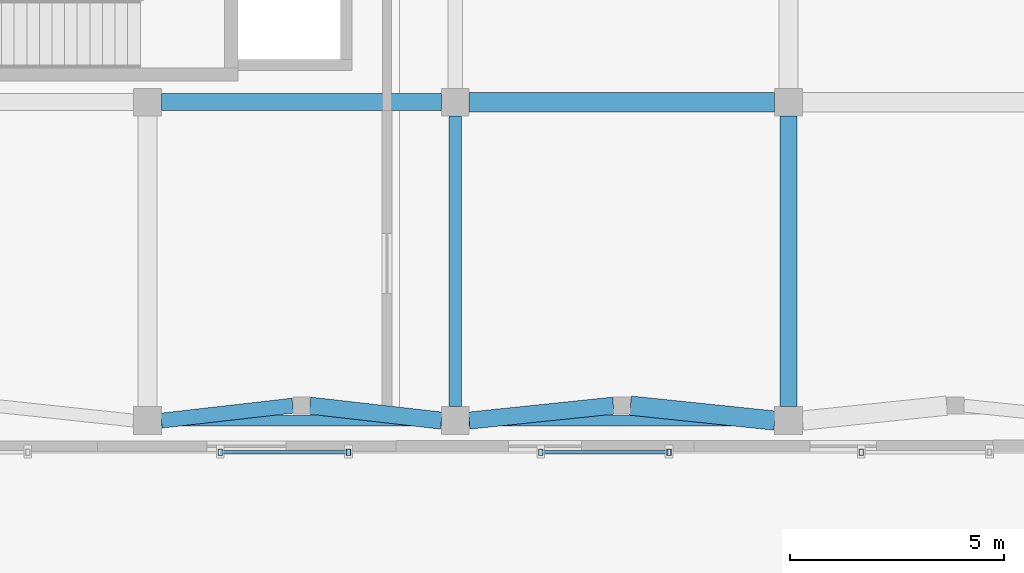
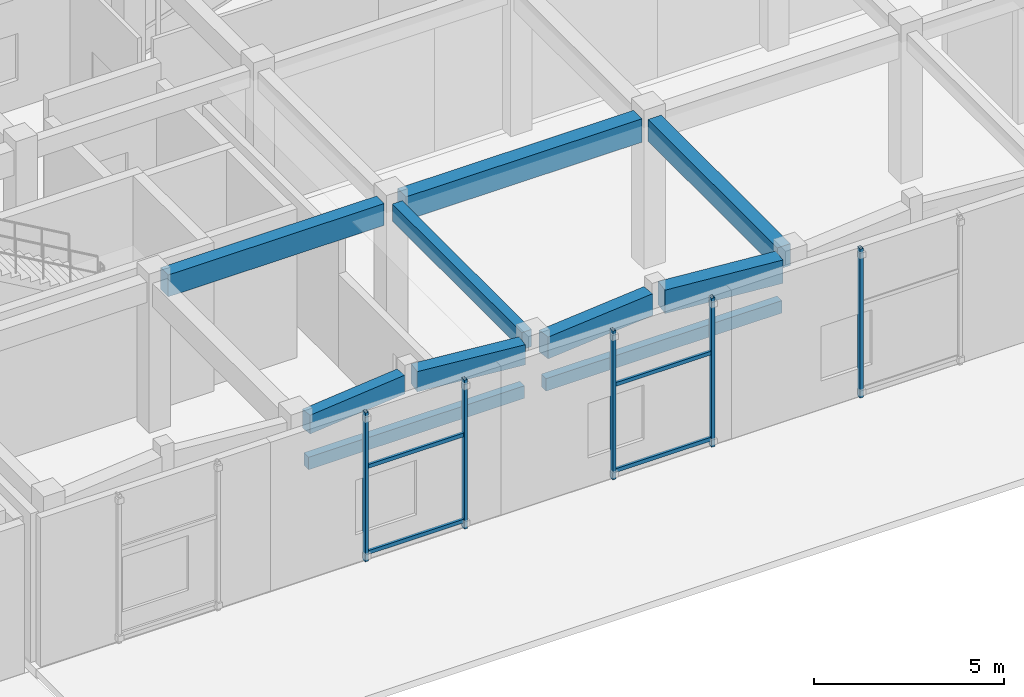
# One storey, part 27 of 121: 10 beams, 9 members.
"""IFC4 building model written with IfcOpenShell, lengths in metres."""

from ifc_helpers import new_model, si_unit, direction, frame, origin, origin_2d, place, context, subcontext, project, spatial, rectangle, hollow_rectangle, extrude, material, material_profile, profile_set, type_object, element, save


model = new_model("IFC4")

# Units and contexts
model_context = context("Model", 3, precision=1e-05, world=origin(), true_north=direction((0.0, 1.0)))
body_context = subcontext(model_context, "Body", "Model", "MODEL_VIEW")
ifc_project = project(units=[si_unit("LENGTHUNIT", "METRE"), si_unit("AREAUNIT", "SQUARE_METRE"), si_unit("VOLUMEUNIT", "CUBIC_METRE"), si_unit("PLANEANGLEUNIT", "RADIAN"), si_unit("MASSUNIT", "GRAM", prefix="KILO")], contexts=[model_context])

# Site, building, storey
site_placement = place(None, origin())
site = spatial("IfcSite", under=ifc_project, at=site_placement, CompositionType="ELEMENT")
building_placement = place(site_placement, origin())
building = spatial("IfcBuilding", under=site, at=building_placement, Name="Valcora Specialist Clinic", CompositionType="ELEMENT")
storey_placement = place(building_placement, origin())
storey = spatial("IfcBuildingStorey", under=building, at=storey_placement, Name="L00", CompositionType="ELEMENT", Elevation=0.0)

# Beams
ifc_material_1 = material(Name="Concrete C40/50", Category="concrete")
ifc_material_profile_1 = material_profile(ifc_material_1, rectangle(XDim=0.300048828125, YDim=0.550048828125, at=origin_2d()), Name="RC-BM-300X550")
ifc_profile_set_1 = profile_set([ifc_material_profile_1], Name="Concrete C40/50")
beam_type_1 = type_object("IfcBeamType", Name="TY-BM-RC300X550", PredefinedType="BEAM", material=ifc_profile_set_1)
beam_1_placement = place(storey_placement, frame((69.0, 1.074951171875, 4.4951171875), z_axis=(0.0, 1.0, 0.0), x_axis=(-1.0, 0.0, 0.0)))
element("IfcBeam", 1, at=beam_1_placement, inside=storey, type_object=beam_type_1, Name="Beam BM-L00-1265", PredefinedType="BEAM", context=body_context, shape_type="SweptSolid", body=[
    extrude(rectangle(XDim=0.300048828125, YDim=0.550048828125, at=origin_2d()), origin(), (0.0, 0.0, 1.0), 6.800048828125),
])
ifc_material_profile_2 = material_profile(ifc_material_1, rectangle(XDim=0.35009765625, YDim=0.60009765625, at=origin_2d()), Name="RC-BM-350X600")
ifc_profile_set_2 = profile_set([ifc_material_profile_2], Name="Concrete C40/50")
beam_type_2 = type_object("IfcBeamType", Name="TY-BM-RC350X600", PredefinedType="BEAM", material=ifc_profile_set_2)
beam_2_placement = place(storey_placement, frame((62.125, 0.75, 4.469970703125), z_axis=(0.993580893822, 0.113123858812, 0.0), x_axis=(-0.113123858812, 0.993580893822, 0.0)))
element("IfcBeam", 2, at=beam_2_placement, inside=storey, type_object=beam_type_2, Name="Beam BM-L00-1220", PredefinedType="BEAM", context=body_context, shape_type="SweptSolid", body=[
    extrude(rectangle(XDim=0.35009765625, YDim=0.60009765625, at=origin_2d()), origin(), (0.0, 0.0, 1.0), 3.0947265625),
])
ifc_material_profile_3 = material_profile(ifc_material_1, rectangle(XDim=0.39990234375, YDim=0.64990234375, at=origin_2d()), Name="RC-BM-400X650")
ifc_profile_set_3 = profile_set([ifc_material_profile_3], Name="Concrete C40/50")
beam_type_3 = type_object("IfcBeamType", Name="TY-BM-RC400X650", PredefinedType="BEAM", material=ifc_profile_set_3)
beam_3_placement = place(storey_placement, frame((65.60009765625, 1.10009765625, 4.445068359375), z_axis=(0.993580893822, -0.113123858812, 0.0), x_axis=(0.113123858812, 0.993580893822, 0.0)))
element("IfcBeam", 3, at=beam_3_placement, inside=storey, type_object=beam_type_3, Name="Beam BM-L00-1221", PredefinedType="BEAM", context=body_context, shape_type="SweptSolid", body=[
    extrude(rectangle(XDim=0.39990234375, YDim=0.64990234375, at=origin_2d()), origin(), (0.0, 0.0, 1.0), 3.0947265625),
])
ifc_material_profile_4 = material_profile(ifc_material_1, rectangle(XDim=0.39990234375, YDim=0.699951171875, at=origin_2d()), Name="RC-BM-400X700")
ifc_profile_set_4 = profile_set([ifc_material_profile_4], Name="Concrete C40/50")
beam_type_4 = type_object("IfcBeamType", Name="TY-BM-RC400X700", PredefinedType="BEAM", material=ifc_profile_set_4)
beam_4_placement = place(storey_placement, frame((69.324951171875, 0.75, 4.419921875), z_axis=(0.994662804408, 0.103178997506, 0.0), x_axis=(-0.103178997506, 0.994662804408, 0.0)))
element("IfcBeam", 4, at=beam_4_placement, inside=storey, type_object=beam_type_4, Name="Beam BM-L00-1222", PredefinedType="BEAM", context=body_context, shape_type="SweptSolid", body=[
    extrude(rectangle(XDim=0.39990234375, YDim=0.699951171875, at=origin_2d()), origin(), (0.0, 0.0, 1.0), 3.39306640625),
])
beam_5_placement = place(storey_placement, frame((62.125, 8.199951171875, 4.419921875), z_axis=(1.0, 0.0, 0.0), x_axis=(0.0, 1.0, 0.0)))
element("IfcBeam", 5, at=beam_5_placement, inside=storey, type_object=beam_type_4, Name="Beam BM-L00-1234", PredefinedType="BEAM", context=body_context, shape_type="SweptSolid", body=[
    extrude(rectangle(XDim=0.39990234375, YDim=0.699951171875, at=origin_2d()), origin(), (0.0, 0.0, 1.0), 6.550048828125),
])
beam_6_placement = place(storey_placement, frame((76.800048828125, 1.074951171875, 4.419921875), z_axis=(0.0, 1.0, 0.0), x_axis=(-1.0, 0.0, 0.0)))
element("IfcBeam", 6, at=beam_6_placement, inside=storey, type_object=beam_type_4, Name="Beam BM-L00-1268", PredefinedType="BEAM", context=body_context, shape_type="SweptSolid", body=[
    extrude(rectangle(XDim=0.39990234375, YDim=0.699951171875, at=origin_2d()), origin(), (0.0, 0.0, 1.0), 6.800048828125),
])
ifc_material_profile_5 = material_profile(ifc_material_1, rectangle(XDim=0.449951171875, YDim=0.75, at=origin_2d()), Name="RC-BM-450X750")
ifc_profile_set_5 = profile_set([ifc_material_profile_5], Name="Concrete C40/50")
beam_type_5 = type_object("IfcBeamType", Name="TY-BM-RC450X750", PredefinedType="BEAM", material=ifc_profile_set_5)
beam_7_placement = place(storey_placement, frame((73.10009765625, 1.10009765625, 4.39501953125), z_axis=(0.994662804408, -0.103178997506, 0.0), x_axis=(0.103178997506, 0.994662804408, 0.0)))
element("IfcBeam", 7, at=beam_7_placement, inside=storey, type_object=beam_type_5, Name="Beam BM-L00-1223", PredefinedType="BEAM", context=body_context, shape_type="SweptSolid", body=[
    extrude(rectangle(XDim=0.449951171875, YDim=0.75, at=origin_2d()), origin(), (0.0, 0.0, 1.0), 3.39306640625),
])
beam_8_placement = place(storey_placement, frame((69.324951171875, 8.199951171875, 4.39501953125), z_axis=(1.0, 0.0, 0.0), x_axis=(0.0, 1.0, 0.0)))
element("IfcBeam", 8, at=beam_8_placement, inside=storey, type_object=beam_type_5, Name="Beam BM-L00-1235", PredefinedType="BEAM", context=body_context, shape_type="SweptSolid", body=[
    extrude(rectangle(XDim=0.449951171875, YDim=0.75, at=origin_2d()), origin(), (0.0, 0.0, 1.0), 7.150146484375),
])
ifc_material_profile_6 = material_profile(ifc_material_1, rectangle(XDim=0.25, YDim=0.39990234375, at=origin_2d()), Name="RC-LN-250X400")
ifc_profile_set_6 = profile_set([ifc_material_profile_6], Name="Concrete C40/50")
beam_type_6 = type_object("IfcBeamType", Name="TY-LN-RC250X400", PredefinedType="LINTEL", material=ifc_profile_set_6)
beam_9_placement = place(storey_placement, frame((62.125, 0.75, 3.199951171875), z_axis=(1.0, 0.0, 0.0), x_axis=(0.0, 1.0, 0.0)))
element("IfcBeam", 9, at=beam_9_placement, inside=storey, type_object=beam_type_6, Name="Facade lintel 4 BM-L00-1643", PredefinedType="LINTEL", context=body_context, shape_type="SweptSolid", body=[
    extrude(rectangle(XDim=0.25, YDim=0.39990234375, at=origin_2d()), origin(), (0.0, 0.0, 1.0), 6.550048828125),
])
beam_10_placement = place(storey_placement, frame((69.324951171875, 0.75, 3.199951171875), z_axis=(1.0, 0.0, 0.0), x_axis=(0.0, 1.0, 0.0)))
element("IfcBeam", 10, at=beam_10_placement, inside=storey, type_object=beam_type_6, Name="Facade lintel 5 BM-L00-1644", PredefinedType="LINTEL", context=body_context, shape_type="SweptSolid", body=[
    extrude(rectangle(XDim=0.25, YDim=0.39990234375, at=origin_2d()), origin(), (0.0, 0.0, 1.0), 7.150146484375),
])

# Members
ifc_material_2 = material(Name="Steel ASTM A500 Grade C", Category="steel")
ifc_material_profile_7 = material_profile(ifc_material_2, hollow_rectangle(XDim=0.10009765625, YDim=0.14990234375, WallThickness=0.006103515625, at=origin_2d()), Name="ST-RHS-150X100X6")
ifc_profile_set_7 = profile_set([ifc_material_profile_7], Name="Steel ASTM A500 Grade C")
member_type_1 = type_object("IfcMemberType", Name="TY-MB-SFPOST", PredefinedType="POST", material=ifc_profile_set_7)
for number, where, z_axis, x_axis, name in (
    (11, (63.5, 0.010009765625, 0.0), (0.0, 0.0, 1.0), (1.0, 0.0, 0.0), "Brick screen carrier post 21"),
    (12, (66.5, 0.010009765625, 0.0), (0.0, 0.0, 1.0), (1.0, 0.0, 0.0), "Brick screen carrier post 22"),
    (13, (71.0, 0.010009765625, 0.0), (0.0, 0.0, 1.0), (1.0, 0.0, 0.0), "Brick screen carrier post 25"),
    (14, (74.0, 0.010009765625, 0.0), (0.0, 0.0, 1.0), (1.0, 0.0, 0.0), "Brick screen carrier post 26"),
    (15, (78.5, 0.010009765625, 0.0), (0.0, 0.0, 1.0), (1.0, 0.0, 0.0), "Brick screen carrier post 29"),
):
    element("IfcMember", number, at=place(storey_placement, frame(where, z_axis=z_axis, x_axis=x_axis)), inside=storey, type_object=member_type_1, Name=name, PredefinedType="POST", context=body_context, shape_type="SweptSolid", body=[
        extrude(hollow_rectangle(XDim=0.10009765625, YDim=0.14990234375, WallThickness=0.006103515625, at=origin_2d()), origin(), (0.0, 0.0, 1.0), 4.77001953125),
    ])
ifc_material_profile_8 = material_profile(ifc_material_2, hollow_rectangle(XDim=0.080078125, YDim=0.1201171875, WallThickness=0.0048828125, at=origin_2d()), Name="ST-RHS-120X80X5")
ifc_profile_set_8 = profile_set([ifc_material_profile_8], Name="Steel ASTM A500 Grade C")
member_type_2 = type_object("IfcMemberType", Name="TY-MB-SFRAIL", PredefinedType="STRINGER", material=ifc_profile_set_8)
for number, where, z_axis, x_axis, name in (
    (16, (63.5, 0.010009765625, 0.239990234375), (1.0, 0.0, 0.0), (0.0, 1.0, 0.0), "Brick screen carrier rail 23"),
    (17, (63.5, 0.010009765625, 3.0), (1.0, 0.0, 0.0), (0.0, 1.0, 0.0), "Brick screen carrier rail 24"),
    (18, (71.0, 0.010009765625, 0.239990234375), (1.0, 0.0, 0.0), (0.0, 1.0, 0.0), "Brick screen carrier rail 27"),
    (19, (71.0, 0.010009765625, 3.0), (1.0, 0.0, 0.0), (0.0, 1.0, 0.0), "Brick screen carrier rail 28"),
):
    element("IfcMember", number, at=place(storey_placement, frame(where, z_axis=z_axis, x_axis=x_axis)), inside=storey, type_object=member_type_2, Name=name, PredefinedType="STRINGER", context=body_context, shape_type="SweptSolid", body=[
        extrude(hollow_rectangle(XDim=0.080078125, YDim=0.1201171875, WallThickness=0.0048828125, at=origin_2d()), origin(), (0.0, 0.0, 1.0), 3.0),
    ])

save(model, "model.ifc")
